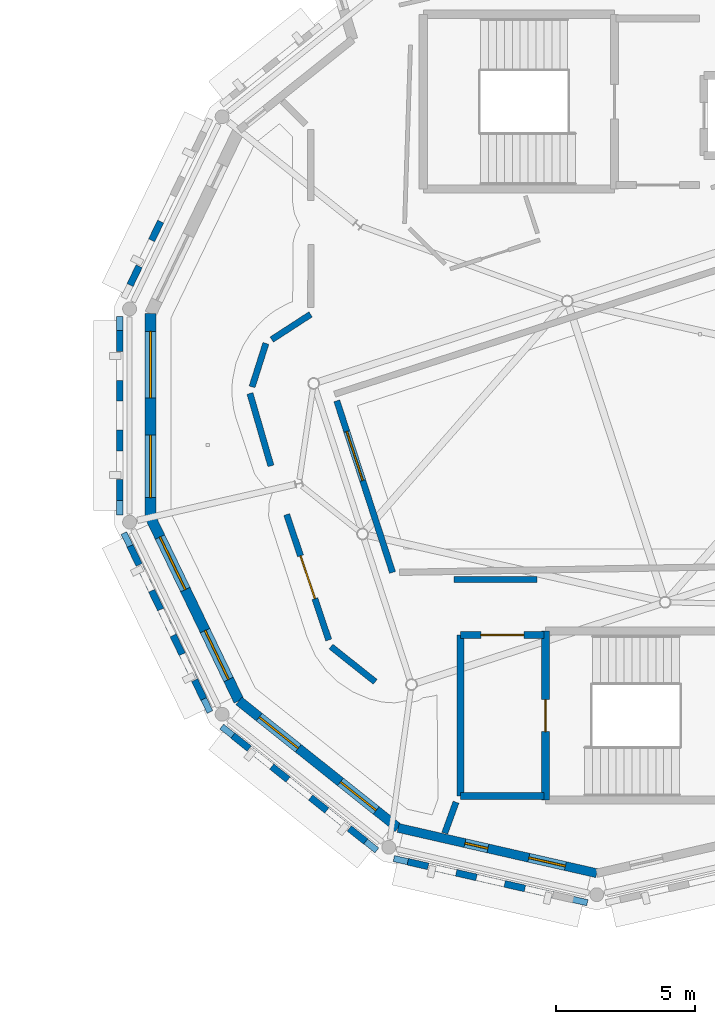
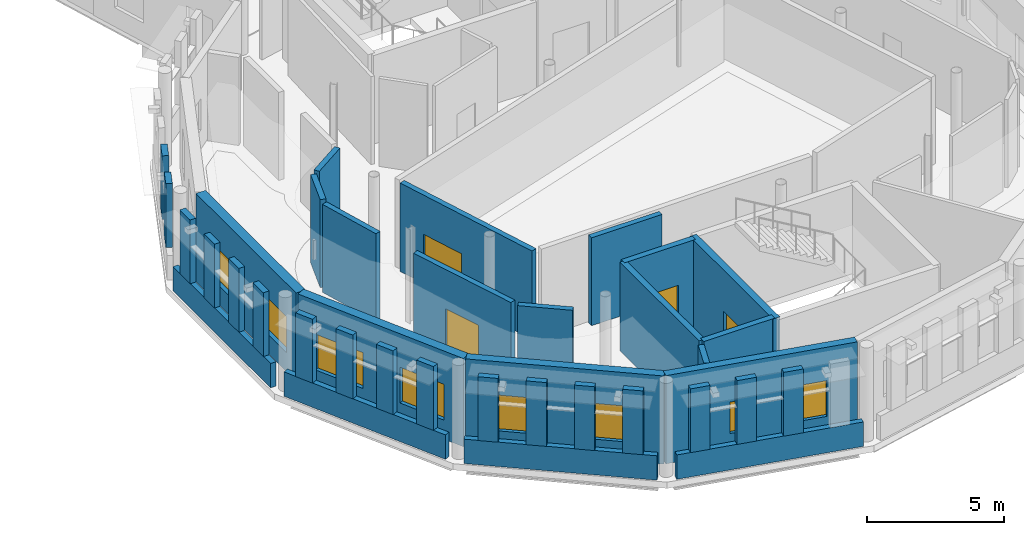
# One storey, part 51 of 90: 37 walls, 8 windows, 4 doors, 12 openings.
"""IFC4 building model written with IfcOpenShell, lengths in metres."""

from ifc_helpers import new_model, si_unit, direction, frame, frame_2d, origin, place, context, subcontext, project, spatial, rectangle, extrude, material, layer, layer_set, type_object, element, fill, save


model = new_model("IFC4")

# Units and contexts
model_context = context("Model", 3, precision=1e-05, world=origin(), true_north=direction((0.0, 1.0)))
body_context = subcontext(model_context, "Body", "Model", "MODEL_VIEW")
ifc_project = project(units=[si_unit("LENGTHUNIT", "METRE"), si_unit("AREAUNIT", "SQUARE_METRE"), si_unit("VOLUMEUNIT", "CUBIC_METRE"), si_unit("PLANEANGLEUNIT", "RADIAN"), si_unit("MASSUNIT", "GRAM", prefix="KILO")], contexts=[model_context])

# Site, building, storey
site_placement = place(None, origin())
site = spatial("IfcSite", under=ifc_project, at=site_placement, CompositionType="ELEMENT")
building_placement = place(site_placement, origin())
building = spatial("IfcBuilding", under=site, at=building_placement, Name="Wrenclough Park School", CompositionType="ELEMENT")
storey_placement = place(building_placement, frame((0.0, 0.0, 8.39990234375)))
storey = spatial("IfcBuildingStorey", under=building, at=storey_placement, Name="L02", CompositionType="ELEMENT", Elevation=8.39990234375)

# Walls
ifc_material_1 = material(Name="Perforated open-bond Staffordshire and Manchester brick screen pier", Category="masonry")
ifc_layer_1 = layer(ifc_material_1, 0.2451171875)
ifc_layer_set_1 = layer_set([ifc_layer_1], Name="Perforated open-bond Staffordshire and Manchester brick screen pier")
wall_type_1 = type_object("IfcWallType", Name="ENV-BS-PR245", PredefinedType="ELEMENTEDWALL", material=ifc_layer_set_1)
wall_1_placement = place(storey_placement, frame((20.802001953125, 30.484130859375, 1.090087890625), z_axis=(0.0, 0.0, 1.0), x_axis=(-0.433884123593, -0.900968682749, 0.0)))
element("IfcWall", 1, at=wall_1_placement, inside=storey, type_object=wall_type_1, Name="D2 L02 perforated brick screen pier 0471", PredefinedType="ELEMENTEDWALL", context=body_context, shape_type="SweptSolid", body=[
    extrude(rectangle(XDim=0.75, YDim=0.2451171875, at=frame_2d((0.375, 0.0))), origin(), (0.0, 0.0, 1.0), 2.85009765625),
])
wall_2_placement = place(storey_placement, frame((20.02685546875, 28.87451171875, 1.090087890625), z_axis=(0.0, 0.0, 1.0), x_axis=(-0.433756915576, -0.901029931906, 0.0)))
element("IfcWall", 2, at=wall_2_placement, inside=storey, type_object=wall_type_1, Name="D2 L02 perforated brick screen pier 0472", PredefinedType="ELEMENTEDWALL", context=body_context, shape_type="SweptSolid", body=[
    extrude(rectangle(XDim=0.750244140625, YDim=0.2451171875, at=frame_2d((0.375, 0.0))), origin(), (0.0, 0.0, 1.0), 2.85009765625),
])
for number, where, z_axis, x_axis, name in (
    (3, (19.326416015625, 26.5546875, 1.090087890625), (0.0, 0.0, 1.0), (0.0, -1.0, 0.0), "D2 L02 perforated brick screen pier 0473"),
    (4, (19.326416015625, 24.768310546875, 1.090087890625), (0.0, 0.0, 1.0), (0.0, -1.0, 0.0), "D2 L02 perforated brick screen pier 0474"),
    (5, (19.326416015625, 22.981689453125, 1.090087890625), (0.0, 0.0, 1.0), (0.0, -1.0, 0.0), "D2 L02 perforated brick screen pier 0475"),
    (6, (19.326416015625, 21.1953125, 1.090087890625), (0.0, 0.0, 1.0), (0.0, -1.0, 0.0), "D2 L02 perforated brick screen pier 0476"),
):
    element("IfcWall", number, at=place(storey_placement, frame(where, z_axis=z_axis, x_axis=x_axis)), inside=storey, type_object=wall_type_1, Name=name, PredefinedType="ELEMENTEDWALL", context=body_context, shape_type="SweptSolid", body=[
        extrude(rectangle(XDim=0.75, YDim=0.2451171875, at=frame_2d((0.375, 0.0))), origin(), (0.0, 0.0, 1.0), 2.85009765625),
    ])
wall_3_placement = place(storey_placement, frame((19.701416015625, 18.801513671875, 1.090087890625), z_axis=(0.0, 0.0, 1.0), x_axis=(0.433756915576, -0.901029931906, 0.0)))
element("IfcWall", 7, at=wall_3_placement, inside=storey, type_object=wall_type_1, Name="D2 L02 perforated brick screen pier 0477", PredefinedType="ELEMENTEDWALL", context=body_context, shape_type="SweptSolid", body=[
    extrude(rectangle(XDim=0.750244140625, YDim=0.2451171875, at=frame_2d((0.375, 0.0))), origin(), (0.0, 0.0, 1.0), 2.85009765625),
])
for number, where, z_axis, x_axis, name in (
    (8, (20.4765625, 17.191650390625, 1.090087890625), (0.0, 0.0, 1.0), (0.433884123593, -0.900968682749, 0.0), "D2 L02 perforated brick screen pier 0478"),
    (9, (21.251953125, 15.581787109375, 1.090087890625), (0.0, 0.0, 1.0), (0.433884123593, -0.900968682749, 0.0), "D2 L02 perforated brick screen pier 0479"),
    (10, (22.027099609375, 13.97216796875, 1.090087890625), (0.0, 0.0, 1.0), (0.433884123593, -0.900968682749, 0.0), "D2 L02 perforated brick screen pier 0480"),
    (11, (23.4033203125, 11.97802734375, 1.090087890625), (0.0, 0.0, 1.0), (0.781915748527, -0.623384120912, 0.0), "D2 L02 perforated brick screen pier 0481"),
    (12, (24.80029296875, 10.864013671875, 1.090087890625), (0.0, 0.0, 1.0), (0.781915748527, -0.623384120912, 0.0), "D2 L02 perforated brick screen pier 0482"),
):
    element("IfcWall", number, at=place(storey_placement, frame(where, z_axis=z_axis, x_axis=x_axis)), inside=storey, type_object=wall_type_1, Name=name, PredefinedType="ELEMENTEDWALL", context=body_context, shape_type="SweptSolid", body=[
        extrude(rectangle(XDim=0.75, YDim=0.2451171875, at=frame_2d((0.375, 0.0))), origin(), (0.0, 0.0, 1.0), 2.85009765625),
    ])
wall_4_placement = place(storey_placement, frame((26.197509765625, 9.75, 1.090087890625), z_axis=(0.0, 0.0, 1.0), x_axis=(0.781789197913, -0.623542821326, 0.0)))
element("IfcWall", 13, at=wall_4_placement, inside=storey, type_object=wall_type_1, Name="D2 L02 perforated brick screen pier 0483", PredefinedType="ELEMENTEDWALL", context=body_context, shape_type="SweptSolid", body=[
    extrude(rectangle(XDim=0.749755859375, YDim=0.2451171875, at=frame_2d((0.375, 0.0))), origin(), (0.0, 0.0, 1.0), 2.85009765625),
])
wall_5_placement = place(storey_placement, frame((27.59423828125, 8.635986328125, 1.090087890625), z_axis=(0.0, 0.0, 1.0), x_axis=(0.781757082545, -0.623583084994, 0.0)))
element("IfcWall", 14, at=wall_5_placement, inside=storey, type_object=wall_type_1, Name="D2 L02 perforated brick screen pier 0484", PredefinedType="ELEMENTEDWALL", context=body_context, shape_type="SweptSolid", body=[
    extrude(rectangle(XDim=0.750244140625, YDim=0.2451171875, at=frame_2d((0.375, 0.0))), origin(), (0.0, 0.0, 1.0), 2.85009765625),
])
for number, where, z_axis, x_axis, name in (
    (15, (29.69970703125, 7.436767578125, 1.090087890625), (0.0, 0.0, 1.0), (0.974969505796, -0.222338621856, 0.0), "D2 L02 perforated brick screen pier 0485"),
    (16, (31.441650390625, 7.039306640625, 1.090087890625), (0.0, 0.0, 1.0), (0.974898895053, -0.222648028119, 0.0), "D2 L02 perforated brick screen pier 0486"),
    (17, (33.18359375, 6.6416015625, 1.090087890625), (0.0, 0.0, 1.0), (0.974898895053, -0.222648028119, 0.0), "D2 L02 perforated brick screen pier 0487"),
):
    element("IfcWall", number, at=place(storey_placement, frame(where, z_axis=z_axis, x_axis=x_axis)), inside=storey, type_object=wall_type_1, Name=name, PredefinedType="ELEMENTEDWALL", context=body_context, shape_type="SweptSolid", body=[
        extrude(rectangle(XDim=0.75, YDim=0.2451171875, at=frame_2d((0.375, 0.0))), origin(), (0.0, 0.0, 1.0), 2.85009765625),
    ])
ifc_material_2 = material(Name="Open-bond Manchester multi-stock brick spandrel screen", Category="masonry")
ifc_layer_2 = layer(ifc_material_2, 0.22509765625)
ifc_layer_set_2 = layer_set([ifc_layer_2], Name="Open-bond Manchester multi-stock brick spandrel screen")
wall_type_2 = type_object("IfcWallType", Name="ENV-BS-SP225", PredefinedType="ELEMENTEDWALL", material=ifc_layer_set_2)
wall_6_placement = place(storey_placement, frame((19.326416015625, 27.072998046875, 0.0), z_axis=(0.0, 0.0, 1.0), x_axis=(0.0, -1.0, 0.0)))
element("IfcWall", 18, at=wall_6_placement, inside=storey, type_object=wall_type_2, Name="D2 L02 open-bond brick screen spandrel 0129", PredefinedType="ELEMENTEDWALL", context=body_context, shape_type="SweptSolid", body=[
    extrude(rectangle(XDim=7.14599609375, YDim=0.22509765625, at=frame_2d((3.572998046875, 0.0))), origin(), (0.0, 0.0, 1.0), 1.090087890625),
])
wall_7_placement = place(storey_placement, frame((19.4765625, 19.268310546875, 0.0), z_axis=(0.0, 0.0, 1.0), x_axis=(0.433882380434, -0.900969522209, 0.0)))
element("IfcWall", 19, at=wall_7_placement, inside=storey, type_object=wall_type_2, Name="D2 L02 open-bond brick screen spandrel 0130", PredefinedType="ELEMENTEDWALL", context=body_context, shape_type="SweptSolid", body=[
    extrude(rectangle(XDim=7.146728515625, YDim=0.22509765625, at=frame_2d((3.5732421875, 0.0))), origin(), (0.0, 0.0, 1.0), 1.090087890625),
])
wall_8_placement = place(storey_placement, frame((22.998046875, 12.30126953125, 0.0), z_axis=(0.0, 0.0, 1.0), x_axis=(0.781840989125, -0.623477880702, 0.0)))
element("IfcWall", 20, at=wall_8_placement, inside=storey, type_object=wall_type_2, Name="D2 L02 open-bond brick screen spandrel 0131", PredefinedType="ELEMENTEDWALL", context=body_context, shape_type="SweptSolid", body=[
    extrude(rectangle(XDim=7.14697265625, YDim=0.22509765625, at=frame_2d((3.573486328125, 0.0))), origin(), (0.0, 0.0, 1.0), 1.090087890625),
])
wall_9_placement = place(storey_placement, frame((29.194091796875, 7.55224609375, 0.0), z_axis=(0.0, 0.0, 1.0), x_axis=(0.974924394038, -0.222536347388, 0.0)))
element("IfcWall", 21, at=wall_9_placement, inside=storey, type_object=wall_type_2, Name="D2 L02 open-bond brick screen spandrel 0132", PredefinedType="ELEMENTEDWALL", context=body_context, shape_type="SweptSolid", body=[
    extrude(rectangle(XDim=7.1474609375, YDim=0.22509765625, at=frame_2d((3.57373046875, 0.0))), origin(), (0.0, 0.0, 1.0), 1.090087890625),
])

# Wall, openings, windows
ifc_material_3 = material(Name="Manchester multi-stock brick and Concrete C32/40 inner leaf", Category="masonry")
ifc_layer_3 = layer(ifc_material_3, 0.324951171875)
ifc_layer_set_3 = layer_set([ifc_layer_3], Name="Manchester multi-stock brick and Concrete C32/40 inner leaf")
wall_type_3 = type_object("IfcWallType", Name="ENV-EW-325", PredefinedType="SOLIDWALL", material=ifc_layer_set_3)
wall_10_placement = place(storey_placement, frame((36.5, 7.023193359375, 0.0), z_axis=(0.0, 0.0, 1.0), x_axis=(-0.974932633187, 0.222500248868, 0.0)))
wall_10 = element("IfcWall", 22, at=wall_10_placement, inside=storey, type_object=wall_type_3, Name="L02 insulated brick external wall 0217", PredefinedType="SOLIDWALL", context=body_context, shape_type="SweptSolid", body=[
    extrude(rectangle(XDim=7.3330078125, YDim=0.324951171875, at=frame_2d((3.66650390625, 0.0))), origin(), (0.0, 0.0, 1.0), 3.940185546875),
])
opening_1_placement = place(wall_10_placement, frame((1.158203125, 0.0, 0.85009765625)))
opening_1 = element("IfcOpeningElement", 23, at=opening_1_placement, cuts=wall_10, Name="Opening WN-16", PredefinedType="OPENING", context=body_context, shape_type="SweptSolid", body=[
    extrude(rectangle(XDim=1.35009765625, YDim=1.60009765625, at=frame_2d((0.675048828125, 0.800048828125))), frame((0.0, 0.17236328125, 0.0), z_axis=(0.0, -1.0, 0.0), x_axis=(1.0, 0.0, 0.0)), (0.0, 0.0, 1.0), 0.344970703125),
])
opening_2_placement = place(wall_10_placement, frame((4.0166015625, 0.0, 0.85009765625)))
opening_2 = element("IfcOpeningElement", 24, at=opening_2_placement, cuts=wall_10, Name="Opening WN-01", PredefinedType="OPENING", context=body_context, shape_type="SweptSolid", body=[
    extrude(rectangle(XDim=0.85009765625, YDim=1.39990234375, at=frame_2d((0.425048828125, 0.699951171875))), frame((0.0, 0.17236328125, 0.0), z_axis=(0.0, -1.0, 0.0), x_axis=(1.0, 0.0, 0.0)), (0.0, 0.0, 1.0), 0.344970703125),
])
ifc_material_4 = material(Name="Thermally broken aluminium and double-glazed low-e glass", Category="aluminium")
window_type_1 = type_object("IfcWindowType", Name="ENV-WN-01", PartitioningType="SINGLE_PANEL", PredefinedType="WINDOW", material=ifc_material_4)
window_1_placement = place(opening_2_placement, origin())
window_1 = element("IfcWindow", 25, at=window_1_placement, inside=storey, type_object=window_type_1, Name="L02 scheduled facade window 0352", OverallHeight=1.39990234375, OverallWidth=0.85009765625, PartitioningType="SINGLE_PANEL", PredefinedType="WINDOW", context=body_context, shape_type="SweptSolid", body=[
    extrude(rectangle(XDim=0.85009765625, YDim=1.39990234375, at=frame_2d((0.425048828125, 0.699951171875))), frame((0.0, 0.030029296875, 0.0), z_axis=(0.0, -1.0, 0.0), x_axis=(1.0, 0.0, 0.0)), (0.0, 0.0, 1.0), 0.06005859375),
])
fill(opening_2, window_1)
window_type_2 = type_object("IfcWindowType", Name="ENV-WN-16", PartitioningType="SINGLE_PANEL", PredefinedType="WINDOW", material=ifc_material_4)
window_2_placement = place(opening_1_placement, origin())
window_2 = element("IfcWindow", 26, at=window_2_placement, inside=storey, type_object=window_type_2, Name="L02 scheduled facade window 0351", OverallHeight=1.60009765625, OverallWidth=1.35009765625, PartitioningType="SINGLE_PANEL", PredefinedType="WINDOW", context=body_context, shape_type="SweptSolid", body=[
    extrude(rectangle(XDim=1.35009765625, YDim=1.60009765625, at=frame_2d((0.675048828125, 0.800048828125))), frame((0.0, 0.030029296875, 0.0), z_axis=(0.0, -1.0, 0.0), x_axis=(1.0, 0.0, 0.0)), (0.0, 0.0, 1.0), 0.06005859375),
])
fill(opening_1, window_2)

ifc_material_5 = material(Name="Staffordshire blue-grey brick and Concrete C35/45 inner leaf", Category="masonry")
ifc_layer_4 = layer(ifc_material_5, 0.35009765625)
ifc_layer_set_4 = layer_set([ifc_layer_4], Name="Staffordshire blue-grey brick and Concrete C35/45 inner leaf")
wall_type_4 = type_object("IfcWallType", Name="ENV-EW-350", PredefinedType="SOLIDWALL", material=ifc_layer_set_4)
wall_11_placement = place(storey_placement, frame((29.350830078125, 8.65478515625, 0.0), z_axis=(0.0, 0.0, 1.0), x_axis=(-0.781819636461, 0.623504655992, 0.0)))
wall_11 = element("IfcWall", 27, at=wall_11_placement, inside=storey, type_object=wall_type_4, Name="L02 insulated brick external wall 0218", PredefinedType="SOLIDWALL", context=body_context, shape_type="SweptSolid", body=[
    extrude(rectangle(XDim=7.332763671875, YDim=0.35009765625, at=frame_2d((3.66650390625, 0.0))), origin(), (0.0, 0.0, 1.0), 3.940185546875),
])
opening_3_placement = place(wall_11_placement, frame((1.00830078125, 0.0, 0.85009765625)))
opening_3 = element("IfcOpeningElement", 28, at=opening_3_placement, cuts=wall_11, Name="Opening WN-18", PredefinedType="OPENING", context=body_context, shape_type="SweptSolid", body=[
    extrude(rectangle(XDim=1.64990234375, YDim=1.60009765625, at=frame_2d((0.824951171875, 0.800048828125))), frame((0.0, 0.18505859375, 0.0), z_axis=(0.0, -1.0, 0.0), x_axis=(1.0, 0.0, 0.0)), (0.0, 0.0, 1.0), 0.3701171875),
])
opening_4_placement = place(wall_11_placement, frame((4.599609375, 0.0, 0.85009765625)))
opening_4 = element("IfcOpeningElement", 29, at=opening_4_placement, cuts=wall_11, Name="Opening WN-19", PredefinedType="OPENING", context=body_context, shape_type="SweptSolid", body=[
    extrude(rectangle(XDim=1.800048828125, YDim=1.60009765625, at=frame_2d((0.89990234375, 0.800048828125))), frame((0.0, 0.18505859375, 0.0), z_axis=(0.0, -1.0, 0.0), x_axis=(1.0, 0.0, 0.0)), (0.0, 0.0, 1.0), 0.3701171875),
])
window_type_3 = type_object("IfcWindowType", Name="ENV-WN-18", PartitioningType="DOUBLE_PANEL_VERTICAL", PredefinedType="WINDOW", material=ifc_material_4)
window_3_placement = place(opening_3_placement, origin())
window_3 = element("IfcWindow", 30, at=window_3_placement, inside=storey, type_object=window_type_3, Name="L02 scheduled facade window 0353", OverallHeight=1.60009765625, OverallWidth=1.64990234375, PartitioningType="SINGLE_PANEL", PredefinedType="WINDOW", context=body_context, shape_type="SweptSolid", body=[
    extrude(rectangle(XDim=1.64990234375, YDim=1.60009765625, at=frame_2d((0.824951171875, 0.800048828125))), frame((0.0, 0.030029296875, 0.0), z_axis=(0.0, -1.0, 0.0), x_axis=(1.0, 0.0, 0.0)), (0.0, 0.0, 1.0), 0.06005859375),
])
fill(opening_3, window_3)
window_type_4 = type_object("IfcWindowType", Name="ENV-WN-19", PartitioningType="DOUBLE_PANEL_VERTICAL", PredefinedType="WINDOW", material=ifc_material_4)
window_4_placement = place(opening_4_placement, origin())
window_4 = element("IfcWindow", 31, at=window_4_placement, inside=storey, type_object=window_type_4, Name="L02 scheduled facade window 0354", OverallHeight=1.60009765625, OverallWidth=1.800048828125, PartitioningType="SINGLE_PANEL", PredefinedType="WINDOW", context=body_context, shape_type="SweptSolid", body=[
    extrude(rectangle(XDim=1.800048828125, YDim=1.60009765625, at=frame_2d((0.89990234375, 0.800048828125))), frame((0.0, 0.030029296875, 0.0), z_axis=(0.0, -1.0, 0.0), x_axis=(1.0, 0.0, 0.0)), (0.0, 0.0, 1.0), 0.06005859375),
])
fill(opening_4, window_4)

ifc_material_6 = material(Name="Manchester multi-stock brick and Concrete C35/45 inner leaf", Category="masonry")
ifc_layer_5 = layer(ifc_material_6, 0.3798828125)
ifc_layer_set_5 = layer_set([ifc_layer_5], Name="Manchester multi-stock brick and Concrete C35/45 inner leaf")
wall_type_5 = type_object("IfcWallType", Name="ENV-EW-380", PredefinedType="SOLIDWALL", material=ifc_layer_set_5)
wall_12_placement = place(storey_placement, frame((23.617919921875, 13.226806640625, 0.0), z_axis=(0.0, 0.0, 1.0), x_axis=(-0.433886691468, 0.900967446119, 0.0)))
wall_12 = element("IfcWall", 32, at=wall_12_placement, inside=storey, type_object=wall_type_5, Name="L02 insulated brick external wall 0219", PredefinedType="SOLIDWALL", context=body_context, shape_type="SweptSolid", body=[
    extrude(rectangle(XDim=7.332763671875, YDim=0.3798828125, at=frame_2d((3.66650390625, 0.0))), origin(), (0.0, 0.0, 1.0), 3.940185546875),
])
opening_5_placement = place(wall_12_placement, frame((0.8583984375, 0.0, 0.85009765625)))
opening_5 = element("IfcOpeningElement", 33, at=opening_5_placement, cuts=wall_12, Name="Opening WN-20", PredefinedType="OPENING", context=body_context, shape_type="SweptSolid", body=[
    extrude(rectangle(XDim=1.949951171875, YDim=1.60009765625, at=frame_2d((0.97509765625, 0.800048828125))), frame((0.0, 0.199951171875, 0.0), z_axis=(0.0, -1.0, 0.0), x_axis=(1.0, 0.0, 0.0)), (0.0, 0.0, 1.0), 0.39990234375),
])
opening_6_placement = place(wall_12_placement, frame((4.44970703125, 0.0, 0.85009765625)))
opening_6 = element("IfcOpeningElement", 34, at=opening_6_placement, cuts=wall_12, Name="Opening WN-21", PredefinedType="OPENING", context=body_context, shape_type="SweptSolid", body=[
    extrude(rectangle(XDim=2.10009765625, YDim=1.60009765625, at=frame_2d((1.050048828125, 0.800048828125))), frame((0.0, 0.199951171875, 0.0), z_axis=(0.0, -1.0, 0.0), x_axis=(1.0, 0.0, 0.0)), (0.0, 0.0, 1.0), 0.39990234375),
])
window_type_5 = type_object("IfcWindowType", Name="ENV-WN-20", PartitioningType="DOUBLE_PANEL_VERTICAL", PredefinedType="WINDOW", material=ifc_material_4)
window_5_placement = place(opening_5_placement, origin())
window_5 = element("IfcWindow", 35, at=window_5_placement, inside=storey, type_object=window_type_5, Name="L02 scheduled facade window 0355", OverallHeight=1.60009765625, OverallWidth=1.949951171875, PartitioningType="SINGLE_PANEL", PredefinedType="WINDOW", context=body_context, shape_type="SweptSolid", body=[
    extrude(rectangle(XDim=1.949951171875, YDim=1.60009765625, at=frame_2d((0.97509765625, 0.800048828125))), frame((0.0, 0.030029296875, 0.0), z_axis=(0.0, -1.0, 0.0), x_axis=(1.0, 0.0, 0.0)), (0.0, 0.0, 1.0), 0.06005859375),
])
fill(opening_5, window_5)
window_type_6 = type_object("IfcWindowType", Name="ENV-WN-21", PartitioningType="DOUBLE_PANEL_VERTICAL", PredefinedType="WINDOW", material=ifc_material_4)
window_6_placement = place(opening_6_placement, origin())
window_6 = element("IfcWindow", 36, at=window_6_placement, inside=storey, type_object=window_type_6, Name="L02 scheduled facade window 0356", OverallHeight=1.60009765625, OverallWidth=2.10009765625, PartitioningType="SINGLE_PANEL", PredefinedType="WINDOW", context=body_context, shape_type="SweptSolid", body=[
    extrude(rectangle(XDim=2.10009765625, YDim=1.60009765625, at=frame_2d((1.050048828125, 0.800048828125))), frame((0.0, 0.030029296875, 0.0), z_axis=(0.0, -1.0, 0.0), x_axis=(1.0, 0.0, 0.0)), (0.0, 0.0, 1.0), 0.06005859375),
])
fill(opening_6, window_6)

ifc_material_7 = material(Name="Staffordshire blue-grey brick and Concrete C40/50 acoustic leaf", Category="masonry")
ifc_layer_6 = layer(ifc_material_7, 0.39990234375)
ifc_layer_set_6 = layer_set([ifc_layer_6], Name="Staffordshire blue-grey brick and Concrete C40/50 acoustic leaf")
wall_type_6 = type_object("IfcWallType", Name="ENV-EW-400", PredefinedType="SOLIDWALL", material=ifc_layer_set_6)
wall_13_placement = place(storey_placement, frame((20.436279296875, 19.83349609375, 0.0), z_axis=(0.0, 0.0, 1.0), x_axis=(0.0, 1.0, 0.0)))
wall_13 = element("IfcWall", 37, at=wall_13_placement, inside=storey, type_object=wall_type_6, Name="L02 insulated brick external wall 0220", PredefinedType="SOLIDWALL", context=body_context, shape_type="SweptSolid", body=[
    extrude(rectangle(XDim=7.3330078125, YDim=0.39990234375, at=frame_2d((3.66650390625, 0.0))), origin(), (0.0, 0.0, 1.0), 3.940185546875),
])
opening_7_placement = place(wall_13_placement, frame((0.708251953125, 0.0, 0.85009765625)))
opening_7 = element("IfcOpeningElement", 38, at=opening_7_placement, cuts=wall_13, Name="Opening WN-22", PredefinedType="OPENING", context=body_context, shape_type="SweptSolid", body=[
    extrude(rectangle(XDim=2.25, YDim=1.60009765625, at=frame_2d((1.125, 0.800048828125))), frame((0.0, 0.2099609375, 0.0), z_axis=(0.0, -1.0, 0.0), x_axis=(1.0, 0.0, 0.0)), (0.0, 0.0, 1.0), 0.419921875),
])
opening_8_placement = place(wall_13_placement, frame((4.2998046875, 0.0, 0.85009765625)))
opening_8 = element("IfcOpeningElement", 39, at=opening_8_placement, cuts=wall_13, Name="Opening WN-23", PredefinedType="OPENING", context=body_context, shape_type="SweptSolid", body=[
    extrude(rectangle(XDim=2.39990234375, YDim=1.60009765625, at=frame_2d((1.199951171875, 0.800048828125))), frame((0.0, 0.2099609375, 0.0), z_axis=(0.0, -1.0, 0.0), x_axis=(1.0, 0.0, 0.0)), (0.0, 0.0, 1.0), 0.419921875),
])
window_type_7 = type_object("IfcWindowType", Name="ENV-WN-22", PartitioningType="DOUBLE_PANEL_VERTICAL", PredefinedType="WINDOW", material=ifc_material_4)
window_7_placement = place(opening_7_placement, origin())
window_7 = element("IfcWindow", 40, at=window_7_placement, inside=storey, type_object=window_type_7, Name="L02 scheduled facade window 0357", OverallHeight=1.60009765625, OverallWidth=2.25, PartitioningType="SINGLE_PANEL", PredefinedType="WINDOW", context=body_context, shape_type="SweptSolid", body=[
    extrude(rectangle(XDim=2.25, YDim=1.60009765625, at=frame_2d((1.125, 0.800048828125))), frame((0.0, 0.030029296875, 0.0), z_axis=(0.0, -1.0, 0.0), x_axis=(1.0, 0.0, 0.0)), (0.0, 0.0, 1.0), 0.06005859375),
])
fill(opening_7, window_7)
window_type_8 = type_object("IfcWindowType", Name="ENV-WN-23", PartitioningType="DOUBLE_PANEL_VERTICAL", PredefinedType="WINDOW", material=ifc_material_4)
window_8_placement = place(opening_8_placement, origin())
window_8 = element("IfcWindow", 41, at=window_8_placement, inside=storey, type_object=window_type_8, Name="L02 scheduled facade window 0358", OverallHeight=1.60009765625, OverallWidth=2.39990234375, PartitioningType="SINGLE_PANEL", PredefinedType="WINDOW", context=body_context, shape_type="SweptSolid", body=[
    extrude(rectangle(XDim=2.39990234375, YDim=1.60009765625, at=frame_2d((1.199951171875, 0.800048828125))), frame((0.0, 0.030029296875, 0.0), z_axis=(0.0, -1.0, 0.0), x_axis=(1.0, 0.0, 0.0)), (0.0, 0.0, 1.0), 0.06005859375),
])
fill(opening_8, window_8)

# Wall
ifc_material_8 = material(Name="Concrete C35/45", Category="concrete")
ifc_layer_7 = layer(ifc_material_8, 0.25)
ifc_layer_set_7 = layer_set([ifc_layer_7], Name="Concrete C35/45")
wall_type_7 = type_object("IfcWallType", Name="INT-CW-250", PredefinedType="SHEAR", material=ifc_layer_set_7)
wall_14_placement = place(storey_placement, frame((31.60009765625, 9.800048828125, 0.0), z_axis=(0.0, 0.0, 1.0), x_axis=(1.0, 0.0, 0.0)))
element("IfcWall", 42, at=wall_14_placement, inside=storey, type_object=wall_type_7, Name="Core C2B L02 lobby fire wall south", PredefinedType="SHEAR", context=body_context, shape_type="SweptSolid", body=[
    extrude(rectangle(XDim=3.0, YDim=0.25, at=frame_2d((1.5, 0.0))), origin(), (0.0, 0.0, 1.0), 3.9501953125),
])

# Wall, opening, door
wall_15_placement = place(storey_placement, frame((34.60009765625, 15.60009765625, 0.0), z_axis=(0.0, 0.0, 1.0), x_axis=(-1.0, 0.0, 0.0)))
wall_15 = element("IfcWall", 43, at=wall_15_placement, inside=storey, type_object=wall_type_7, Name="Core C2B L02 lobby fire wall north", PredefinedType="SHEAR", context=body_context, shape_type="SweptSolid", body=[
    extrude(rectangle(XDim=3.0, YDim=0.25, at=frame_2d((1.5, 0.0))), origin(), (0.0, 0.0, 1.0), 3.9501953125),
])
opening_9_placement = place(wall_15_placement, frame((0.72509765625, 0.0, 0.0)))
opening_9 = element("IfcOpeningElement", 44, at=opening_9_placement, cuts=wall_15, Name="Opening DLB-C2B-L02", PredefinedType="OPENING", context=body_context, shape_type="SweptSolid", body=[
    extrude(rectangle(XDim=1.550048828125, YDim=2.14990234375, at=frame_2d((0.77490234375, 1.074951171875))), frame((0.0, 0.135009765625, 0.0), z_axis=(0.0, -1.0, 0.0), x_axis=(1.0, 0.0, 0.0)), (0.0, 0.0, 1.0), 0.27001953125),
])
ifc_material_9 = material(Name="Protected stair lobby double fire door assembly", Category="wood")
door_type_1 = type_object("IfcDoorType", Name="INT-DR-LB155", OperationType="NOTDEFINED", PredefinedType="DOOR", material=ifc_material_9)
door_1_placement = place(opening_9_placement, origin())
door_1 = element("IfcDoor", 45, at=door_1_placement, inside=storey, type_object=door_type_1, Name="Core C2B L02 protected lobby fire door", OperationType="DOUBLE_DOOR_SINGLE_SWING", OverallHeight=2.14990234375, OverallWidth=1.550048828125, PredefinedType="DOOR", context=body_context, shape_type="SweptSolid", body=[
    extrude(rectangle(XDim=1.550048828125, YDim=2.14990234375, at=frame_2d((0.77490234375, 1.074951171875))), frame((0.0, 0.02490234375, 0.0), z_axis=(0.0, -1.0, 0.0), x_axis=(1.0, 0.0, 0.0)), (0.0, 0.0, 1.0), 0.050048828125),
])
fill(opening_9, door_1)

# Wall
wall_16_placement = place(storey_placement, frame((31.60009765625, 15.60009765625, 0.0), z_axis=(0.0, 0.0, 1.0), x_axis=(0.0, -1.0, 0.0)))
element("IfcWall", 46, at=wall_16_placement, inside=storey, type_object=wall_type_7, Name="Core C2B L02 lobby fire wall west", PredefinedType="SHEAR", context=body_context, shape_type="SweptSolid", body=[
    extrude(rectangle(XDim=5.800048828125, YDim=0.25, at=frame_2d((2.89990234375, 0.0))), origin(), (0.0, 0.0, 1.0), 3.9501953125),
])

# Wall, opening, door
ifc_material_10 = material(Name="Concrete C40/50", Category="concrete")
ifc_layer_8 = layer(ifc_material_10, 0.2900390625)
ifc_layer_set_8 = layer_set([ifc_layer_8], Name="Concrete C40/50")
wall_type_8 = type_object("IfcWallType", Name="INT-CW-290", PredefinedType="SHEAR", material=ifc_layer_set_8)
wall_17_placement = place(storey_placement, frame((34.655029296875, 15.7451171875, 0.0), z_axis=(0.0, 0.0, 1.0), x_axis=(0.0, -1.0, 0.0)))
wall_17 = element("IfcWall", 47, at=wall_17_placement, inside=storey, type_object=wall_type_8, Name="Core C2B L02 west shear wall", PredefinedType="SHEAR", context=body_context, shape_type="SweptSolid", body=[
    extrude(rectangle(XDim=6.090087890625, YDim=0.2900390625, at=frame_2d((3.044921875, 0.0))), origin(), (0.0, 0.0, 1.0), 3.9501953125),
])
opening_10_placement = place(wall_17_placement, frame((2.469970703125, 0.0, 0.0)))
opening_10 = element("IfcOpeningElement", 48, at=opening_10_placement, cuts=wall_17, Name="Opening DST-C2B-L02", PredefinedType="OPENING", context=body_context, shape_type="SweptSolid", body=[
    extrude(rectangle(XDim=1.14990234375, YDim=2.10009765625, at=frame_2d((0.574951171875, 1.050048828125))), frame((0.0, 0.155029296875, 0.0), z_axis=(0.0, -1.0, 0.0), x_axis=(1.0, 0.0, 0.0)), (0.0, 0.0, 1.0), 0.31005859375),
])
ifc_material_11 = material(Name="Protected escape stair single fire door assembly", Category="wood")
door_type_2 = type_object("IfcDoorType", Name="INT-DR-ST115", OperationType="NOTDEFINED", PredefinedType="DOOR", material=ifc_material_11)
door_2_placement = place(opening_10_placement, origin())
door_2 = element("IfcDoor", 49, at=door_2_placement, inside=storey, type_object=door_type_2, Name="Stair ST-13 L02 fire door", OperationType="SINGLE_SWING_LEFT", OverallHeight=2.10009765625, OverallWidth=1.14990234375, PredefinedType="DOOR", context=body_context, shape_type="SweptSolid", body=[
    extrude(rectangle(XDim=1.14990234375, YDim=2.10009765625, at=frame_2d((0.574951171875, 1.050048828125))), frame((0.0, 0.02490234375, 0.0), z_axis=(0.0, -1.0, 0.0), x_axis=(1.0, 0.0, 0.0)), (0.0, 0.0, 1.0), 0.050048828125),
])
fill(opening_10, door_2)

ifc_material_12 = material(Name="Twin-frame acoustic gypsum board 60 dB Rw", Category="gypsum")
ifc_layer_9 = layer(ifc_material_12, 0.22509765625)
ifc_layer_set_9 = layer_set([ifc_layer_9], Name="Twin-frame acoustic gypsum board 60 dB Rw")
wall_type_9 = type_object("IfcWallType", Name="INT-PW-225", PredefinedType="PARTITIONING", material=ifc_layer_set_9)
wall_18_placement = place(storey_placement, frame((27.141845703125, 24.031494140625, 0.0), z_axis=(0.0, 0.0, 1.0), x_axis=(0.308983288639, -0.951067467292, 0.0)))
wall_18 = element("IfcWall", 50, at=wall_18_placement, inside=storey, type_object=wall_type_9, Name="L02 internal partition 0338", PredefinedType="PARTITIONING", context=body_context, shape_type="SweptSolid", body=[
    extrude(rectangle(XDim=6.4990234375, YDim=0.22509765625, at=frame_2d((3.24951171875, 0.0))), origin(), (0.0, 0.0, 1.0), 3.9501953125),
])
opening_11_placement = place(wall_18_placement, frame((1.15966796875, 0.0, 0.0)))
opening_11 = element("IfcOpeningElement", 51, at=opening_11_placement, cuts=wall_18, Name="Opening DR-L02-064", PredefinedType="OPENING", context=body_context, shape_type="SweptSolid", body=[
    extrude(rectangle(XDim=1.860107421875, YDim=2.199951171875, at=frame_2d((0.93017578125, 1.10009765625))), frame((0.0, 0.12255859375, 0.0), z_axis=(0.0, -1.0, 0.0), x_axis=(1.0, 0.0, 0.0)), (0.0, 0.0, 1.0), 0.2451171875),
])
ifc_material_13 = material(Name="Sports and assembly hall double escape door assembly", Category="wood")
door_type_3 = type_object("IfcDoorType", Name="INT-DR-HAL186", OperationType="NOTDEFINED", PredefinedType="DOOR", material=ifc_material_13)
door_3_placement = place(opening_11_placement, frame((1.860107421875, 0.0, 0.0), z_axis=(0.0, 0.0, 1.0), x_axis=(-1.0, 0.0, 0.0)))
door_3 = element("IfcDoor", 52, at=door_3_placement, inside=storey, type_object=door_type_3, Name="Assembly Hall door DR-L02-064", OperationType="DOUBLE_DOOR_SINGLE_SWING", OverallHeight=2.199951171875, OverallWidth=1.860107421875, PredefinedType="DOOR", context=body_context, shape_type="SweptSolid", body=[
    extrude(rectangle(XDim=1.860107421875, YDim=2.199951171875, at=frame_2d((0.93017578125, 1.10009765625))), frame((0.0, 0.02490234375, 0.0), z_axis=(0.0, -1.0, 0.0), x_axis=(1.0, 0.0, 0.0)), (0.0, 0.0, 1.0), 0.050048828125),
])
fill(opening_11, door_3)

# Walls
wall_19_placement = place(storey_placement, frame((31.027587890625, 8.46435546875, 0.0), z_axis=(0.0, 0.0, 1.0), x_axis=(0.341957686727, 0.939715350778, 0.0)))
element("IfcWall", 53, at=wall_19_placement, inside=storey, type_object=wall_type_9, Name="L02 internal partition 0343", PredefinedType="PARTITIONING", context=body_context, shape_type="SweptSolid", body=[
    extrude(rectangle(XDim=1.187255859375, YDim=0.22509765625, at=frame_2d((0.59375, 0.0))), origin(), (0.0, 0.0, 1.0), 3.93017578125),
])
wall_20_placement = place(storey_placement, frame((34.3525390625, 17.60009765625, 0.0), z_axis=(0.0, 0.0, 1.0), x_axis=(-1.0, 0.0, 0.0)))
element("IfcWall", 54, at=wall_20_placement, inside=storey, type_object=wall_type_9, Name="L02 internal partition 0344", PredefinedType="PARTITIONING", context=body_context, shape_type="SweptSolid", body=[
    extrude(rectangle(XDim=2.98583984375, YDim=0.22509765625, at=frame_2d((1.492919921875, 0.0))), origin(), (0.0, 0.0, 1.0), 3.93017578125),
])
wall_21_placement = place(storey_placement, frame((28.52587890625, 13.913818359375, 0.0), z_axis=(0.0, 0.0, 1.0), x_axis=(-0.782746940471, 0.622340121785, 0.0)))
element("IfcWall", 55, at=wall_21_placement, inside=storey, type_object=wall_type_9, Name="L02 internal partition 0345", PredefinedType="PARTITIONING", context=body_context, shape_type="SweptSolid", body=[
    extrude(rectangle(XDim=2.0380859375, YDim=0.22509765625, at=frame_2d((1.01904296875, 0.0))), origin(), (0.0, 0.0, 1.0), 3.93017578125),
])

# Wall, opening, door
wall_22_placement = place(storey_placement, frame((26.851318359375, 15.4189453125, 0.0), z_axis=(0.0, 0.0, 1.0), x_axis=(-0.31777961132, 0.94816460524, 0.0)))
wall_22 = element("IfcWall", 56, at=wall_22_placement, inside=storey, type_object=wall_type_9, Name="L02 internal partition 0346", PredefinedType="PARTITIONING", context=body_context, shape_type="SweptSolid", body=[
    extrude(rectangle(XDim=4.765625, YDim=0.22509765625, at=frame_2d((2.3828125, 0.0))), origin(), (0.0, 0.0, 1.0), 3.93017578125),
])
opening_12_placement = place(wall_22_placement, frame((1.57275390625, 0.0, 0.0)))
opening_12 = element("IfcOpeningElement", 57, at=opening_12_placement, cuts=wall_22, Name="Opening DR-L02-065", PredefinedType="OPENING", context=body_context, shape_type="SweptSolid", body=[
    extrude(rectangle(XDim=1.6201171875, YDim=2.179931640625, at=frame_2d((0.81005859375, 1.08984375))), frame((0.0, 0.12255859375, 0.0), z_axis=(0.0, -1.0, 0.0), x_axis=(1.0, 0.0, 0.0)), (0.0, 0.0, 1.0), 0.2451171875),
])
ifc_material_14 = material(Name="Acoustic music and drama studio double door assembly", Category="wood")
door_type_4 = type_object("IfcDoorType", Name="INT-DR-STU162", OperationType="NOTDEFINED", PredefinedType="DOOR", material=ifc_material_14)
door_4_placement = place(opening_12_placement, origin())
door_4 = element("IfcDoor", 58, at=door_4_placement, inside=storey, type_object=door_type_4, Name="Backstage Dressing Studio door DR-L02-065", OperationType="DOUBLE_DOOR_SINGLE_SWING", OverallHeight=2.179931640625, OverallWidth=1.6201171875, PredefinedType="DOOR", context=body_context, shape_type="SweptSolid", body=[
    extrude(rectangle(XDim=1.6201171875, YDim=2.179931640625, at=frame_2d((0.81005859375, 1.08984375))), frame((0.0, 0.02490234375, 0.0), z_axis=(0.0, -1.0, 0.0), x_axis=(1.0, 0.0, 0.0)), (0.0, 0.0, 1.0), 0.050048828125),
])
fill(opening_12, door_4)

# Walls
wall_23_placement = place(storey_placement, frame((24.77001953125, 21.68798828125, 0.0), z_axis=(0.0, 0.0, 1.0), x_axis=(-0.277881087021, 0.960615480552, 0.0)))
element("IfcWall", 59, at=wall_23_placement, inside=storey, type_object=wall_type_9, Name="L02 internal partition 0347", PredefinedType="PARTITIONING", context=body_context, shape_type="SweptSolid", body=[
    extrude(rectangle(XDim=2.713134765625, YDim=0.22509765625, at=frame_2d((1.3564453125, 0.0))), origin(), (0.0, 0.0, 1.0), 3.93017578125),
])
wall_24_placement = place(storey_placement, frame((24.092041015625, 24.5322265625, 0.0), z_axis=(0.0, 0.0, 1.0), x_axis=(0.302952082364, 0.953005790009, 0.0)))
element("IfcWall", 60, at=wall_24_placement, inside=storey, type_object=wall_type_9, Name="L02 internal partition 0348", PredefinedType="PARTITIONING", context=body_context, shape_type="SweptSolid", body=[
    extrude(rectangle(XDim=1.642333984375, YDim=0.22509765625, at=frame_2d((0.8212890625, 0.0))), origin(), (0.0, 0.0, 1.0), 3.93017578125),
])
wall_25_placement = place(storey_placement, frame((24.79931640625, 26.2333984375, 0.0), z_axis=(0.0, 0.0, 1.0), x_axis=(0.838780833137, 0.54446920387, 0.0)))
element("IfcWall", 61, at=wall_25_placement, inside=storey, type_object=wall_type_9, Name="L02 internal partition 0349", PredefinedType="PARTITIONING", context=body_context, shape_type="SweptSolid", body=[
    extrude(rectangle(XDim=1.669921875, YDim=0.22509765625, at=frame_2d((0.8349609375, 0.0))), origin(), (0.0, 0.0, 1.0), 3.93017578125),
])

save(model, "model.ifc")
